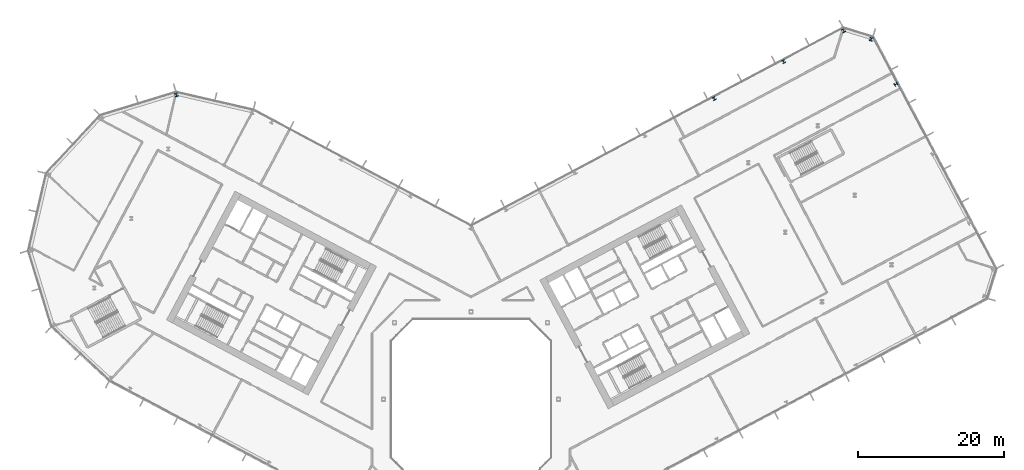
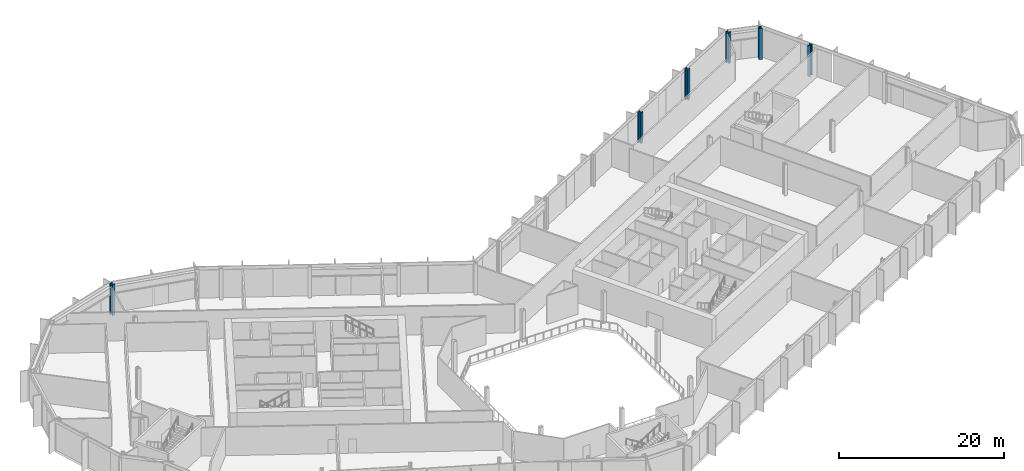
# One storey, part 5 of 32: 6 columns.
"""IFC4 building model written with IfcOpenShell, lengths in metres."""

import ifcopenshell
import ifcopenshell.guid

model = None  # the IFC model being written
_history = None  # IfcOwnerHistory: only IFC2X3 demands one
_inside = {}  # id of a spatial element -> (the spatial element, [elements in it])
_under = {}  # id of a project, library or spatial element -> (it, [spatial elements below it])
_declared = {}  # id of a project -> (the project, [libraries it declares])
_typed = {}  # id of a type object -> (the type object, [elements of that type])
_made_of = {}  # id of a material, layer set ... -> (it, [elements and type objects made of it])


def new_model(schema):
    """Start an empty IFC model of exactly this schema.

    Asked for "IFC4X3", IfcOpenShell would pick the latest addendum, in which some entities
    have other attributes; the version numbers below select the first issue.
    IFC2X3 requires an IfcOwnerHistory on every rooted entity: one is made here for all.
    """
    global model, _history
    if schema == "IFC4X3":
        model = ifcopenshell.file(schema_version=(4, 3, 0, 0))
    else:
        model = ifcopenshell.file(schema=schema)
    _inside.clear()
    _under.clear()
    _declared.clear()
    _typed.clear()
    _made_of.clear()
    _history = None
    if model.schema == "IFC2X3":
        org = make("IfcOrganization", Name="unknown")
        user = make(
            "IfcPersonAndOrganization",
            ThePerson=make("IfcPerson", FamilyName="unknown"),
            TheOrganization=org,
        )
        app = make(
            "IfcApplication",
            ApplicationDeveloper=org,
            Version="unknown",
            ApplicationFullName="unknown",
            ApplicationIdentifier="unknown",
        )
        _history = make(
            "IfcOwnerHistory",
            OwningUser=user,
            OwningApplication=app,
            ChangeAction="ADDED",
            CreationDate=0,
        )
    return model


def make(cls, **values):
    """One entity of the class cls with the attributes given. An attribute that is None is left unset."""
    return model.create_entity(
        cls, **{name: value for name, value in values.items() if value is not None}
    )


def rooted(cls, **values):
    """An entity with a GlobalId (a new one), such as an element, a storey or a relation."""
    return make(cls, GlobalId=ifcopenshell.guid.new(), OwnerHistory=_history, **values)


def si_unit(unit_type, name, prefix=None):
    """IfcSIUnit, for example si_unit("LENGTHUNIT", "METRE", prefix="MILLI")."""
    return make("IfcSIUnit", UnitType=unit_type, Prefix=prefix, Name=name)


def assignment(units):
    """IfcUnitAssignment: the units of a project."""
    return None if units is None else make("IfcUnitAssignment", Units=units)


def point(xyz):
    """IfcCartesianPoint."""
    return None if xyz is None else make("IfcCartesianPoint", Coordinates=xyz)


def direction(xyz):
    """IfcDirection."""
    return None if xyz is None else make("IfcDirection", DirectionRatios=xyz)


def frame(location, z_axis=None, x_axis=None):
    """IfcAxis2Placement3D, a coordinate frame: its origin and axes. An axis left out is left unset."""
    return make(
        "IfcAxis2Placement3D",
        Location=point(location),
        Axis=direction(z_axis),
        RefDirection=direction(x_axis),
    )


def frame_2d(location, x_axis=None):
    """IfcAxis2Placement2D, a coordinate frame in the plane: its origin and x axis."""
    return make(
        "IfcAxis2Placement2D", Location=point(location), RefDirection=direction(x_axis)
    )


def origin():
    """The frame at (0, 0, 0) with its axes left unset."""
    return frame((0.0, 0.0, 0.0))


def origin_2d():
    """The frame at (0, 0) in the plane with its x axis left unset."""
    return frame_2d((0.0, 0.0))


def place(relative_to, where):
    """IfcLocalPlacement: puts the frame where relative to a parent placement (None: the world)."""
    return make(
        "IfcLocalPlacement", PlacementRelTo=relative_to, RelativePlacement=where
    )


def context(
    kind, dimensions, precision=None, world=None, true_north=None, identifier=None
):
    """IfcGeometricRepresentationContext, for example the 3D "Model" context."""
    return make(
        "IfcGeometricRepresentationContext",
        ContextIdentifier=identifier,
        ContextType=kind,
        CoordinateSpaceDimension=dimensions,
        Precision=precision,
        WorldCoordinateSystem=world,
        TrueNorth=true_north,
    )


def subcontext(parent, identifier, kind, view, scale=None):
    """IfcGeometricRepresentationSubContext, for example "Body" below "Model"."""
    return make(
        "IfcGeometricRepresentationSubContext",
        ContextIdentifier=identifier,
        ContextType=kind,
        ParentContext=parent,
        TargetScale=scale,
        TargetView=view,
    )


def project(units=None, contexts=None):
    """IfcProject with its units and contexts."""
    return rooted(
        "IfcProject",
        Name="project",
        RepresentationContexts=contexts,
        UnitsInContext=assignment(units),
    )


def spatial(cls, under=None, at=None, **own):
    """A site, building, storey or space (cls), placed at a placement, below another one or the project."""
    s = rooted(cls, ObjectPlacement=at, **own)
    if under is not None:
        _under.setdefault(under.id(), (under, []))[1].append(s)
    return s


def profile(cls, at=None, kind="AREA", **sizes):
    """A parametric profile (cls). Its sizes go by their IFC names, for example OverallWidth=200.0."""
    return make(cls, ProfileType=kind, Position=at, **sizes)


def i_section(**sizes):
    """IfcIShapeProfileDef."""
    return profile("IfcIShapeProfileDef", **sizes)


def extrude(swept, where, along, depth):
    """IfcExtrudedAreaSolid: the profile swept, set in the frame where, extruded along a direction by depth."""
    return make(
        "IfcExtrudedAreaSolid",
        SweptArea=swept,
        Position=where,
        ExtrudedDirection=direction(along),
        Depth=depth,
    )


def shape(context_of_items, identifier, shape_type, items):
    """IfcShapeRepresentation: the items that make up one representation, for example the "Body"."""
    return make(
        "IfcShapeRepresentation",
        ContextOfItems=context_of_items,
        RepresentationIdentifier=identifier,
        RepresentationType=shape_type,
        Items=items,
    )


def material(Name=None, Category=None):
    """IfcMaterial."""
    return make("IfcMaterial", Name=Name, Category=Category)


def material_profile(
    of_material, cross_section, Name=None, Category=None, Priority=None
):
    """IfcMaterialProfile: a cross section and its material."""
    return make(
        "IfcMaterialProfile",
        Name=Name,
        Material=of_material,
        Profile=cross_section,
        Priority=Priority,
        Category=Category,
    )


def profile_set(profiles, Name=None, composite=None):
    """IfcMaterialProfileSet."""
    return make(
        "IfcMaterialProfileSet",
        Name=Name,
        MaterialProfiles=profiles,
        CompositeProfile=composite,
    )


def made_of(thing, what):
    """Note that an element or type object is made of a material, layer set ...; save() writes the relation."""
    if what is not None:
        _made_of.setdefault(what.id(), (what, []))[1].append(thing)
    return thing


def type_object(cls, material=None, **own):
    """A type object (cls), such as IfcWallType, which elements share."""
    return made_of(rooted(cls, **own), material)


def element(
    cls,
    number,
    at=None,
    inside=None,
    cuts=None,
    type_object=None,
    material=None,
    context=None,
    identifier="Body",
    shape_type=None,
    held_by="IfcProductDefinitionShape",
    body=None,
    shapes=None,
    **own,
):
    """One element of the class cls, such as IfcWall. Its Tag is "e" and its number.

    at: its placement. inside: the storey or other place that contains it. cuts: it is an
    opening in that element (IfcRelVoidsElement). A single representation is given by context,
    identifier, shape_type and body (its items); several are given by shapes. held_by: the class
    of the entity that holds the representations. save() writes the other relations.
    """
    e = rooted(cls, Tag="e%d" % number, ObjectPlacement=at, **own)
    if body is not None:
        shapes = [shape(context, identifier, shape_type, body)]
    if shapes is not None:
        e.Representation = make(held_by, Representations=shapes)
    if inside is not None:
        _inside.setdefault(inside.id(), (inside, []))[1].append(e)
    if cuts is not None:
        rooted(
            "IfcRelVoidsElement", RelatingBuildingElement=cuts, RelatedOpeningElement=e
        )
    if type_object is not None:
        _typed.setdefault(type_object.id(), (type_object, []))[1].append(e)
    return made_of(e, material)


def aggregate(whole, parts):
    """IfcRelAggregates: a whole, such as a stair, and the parts it consists of."""
    return rooted("IfcRelAggregates", RelatingObject=whole, RelatedObjects=parts)


def save(model, path):
    """Write the relations noted so far, then the file.

    IfcRelAggregates (storeys below a building ...), IfcRelContainedInSpatialStructure (elements
    in a storey), IfcRelDefinesByType, IfcRelAssociatesMaterial and IfcRelDeclares: one each for
    every whole, place, type object, material and project.
    """
    for whole, parts in _under.values():
        aggregate(whole, parts)
    for where, things in _inside.values():
        rooted(
            "IfcRelContainedInSpatialStructure",
            RelatedElements=things,
            RelatingStructure=where,
        )
    for kind, things in _typed.values():
        rooted("IfcRelDefinesByType", RelatedObjects=things, RelatingType=kind)
    for what, things in _made_of.values():
        rooted("IfcRelAssociatesMaterial", RelatedObjects=things, RelatingMaterial=what)
    for by, libraries in _declared.values():
        rooted("IfcRelDeclares", RelatingContext=by, RelatedDefinitions=libraries)
    model.write(path)


model = new_model("IFC4")

# Units and contexts
model_context = context("Model", 3, precision=1e-05, world=origin(), true_north=direction((0.0, 1.0)))
body_context = subcontext(model_context, "Body", "Model", "MODEL_VIEW")
ifc_project = project(units=[si_unit("LENGTHUNIT", "METRE"), si_unit("AREAUNIT", "SQUARE_METRE"), si_unit("VOLUMEUNIT", "CUBIC_METRE"), si_unit("PLANEANGLEUNIT", "RADIAN"), si_unit("MASSUNIT", "GRAM", prefix="KILO")], contexts=[model_context])

# Site, building, storey
site_placement = place(None, origin())
site = spatial("IfcSite", under=ifc_project, at=site_placement, CompositionType="ELEMENT")
building_placement = place(site_placement, origin())
building = spatial("IfcBuilding", under=site, at=building_placement, Name="Cormorant Relay Tower", CompositionType="ELEMENT")
storey_placement = place(building_placement, frame((0.0, 0.0, 75.39990234375)))
storey = spatial("IfcBuildingStorey", under=building, at=storey_placement, Name="L14", CompositionType="ELEMENT", Elevation=75.39990234375)

# Columns
ifc_material_1 = material(Name="Steel ASTM A992 (Fy 345 MPa)", Category="steel")
ifc_material_profile_1 = material_profile(ifc_material_1, i_section(OverallWidth=0.42431640625, OverallDepth=0.47509765625, WebThickness=0.0478515625, FlangeThickness=0.0771484375, FilletRadius=0.014892578125, at=origin_2d()), Name="W360x634")
ifc_profile_set_1 = profile_set([ifc_material_profile_1], Name="Steel ASTM A992 (Fy 345 MPa)")
column_type_1 = type_object("IfcColumnType", Name="Column W360x634", PredefinedType="COLUMN", material=ifc_profile_set_1)
for number, where, z_axis, x_axis, name in (
    (1, (33.342041015625, 41.239990234375, 0.0), (0.0, 0.0, 1.0), (-0.882947592859, -0.469471562786, 0.0), "Column L14-049"),
    (2, (58.2900390625, 43.22509765625, 0.0), (0.0, 0.0, 1.0), (-0.469471562786, 0.882947592859, 0.0), "Column L14-051"),
    (3, (42.876953125, 46.31005859375, 0.0), (0.0, 0.0, 1.0), (-0.882947592859, -0.469471562786, 0.0), "Column L14-052"),
):
    element("IfcColumn", number, at=place(storey_placement, frame(where, z_axis=z_axis, x_axis=x_axis)), inside=storey, type_object=column_type_1, Name=name, PredefinedType="COLUMN", context=body_context, shape_type="SweptSolid", body=[
        extrude(i_section(OverallWidth=0.42431640625, OverallDepth=0.47509765625, WebThickness=0.0478515625, FlangeThickness=0.0771484375, FilletRadius=0.014892578125, at=origin_2d()), origin(), (0.0, 0.0, 1.0), 4.60009765625),
    ])
ifc_material_2 = material(Name="Steel ASTM A992 (Fy 345 MPa)", Category="steel")
ifc_material_profile_2 = material_profile(ifc_material_2, i_section(OverallWidth=0.43701171875, OverallDepth=0.51318359375, WebThickness=0.060546875, FlangeThickness=0.096923828125, FilletRadius=0.015380859375, at=origin_2d()), Name="W360x818")
ifc_profile_set_2 = profile_set([ifc_material_profile_2], Name="Steel ASTM A992 (Fy 345 MPa)")
column_type_2 = type_object("IfcColumnType", Name="Column W360x818", PredefinedType="COLUMN", material=ifc_profile_set_2)
for number, where, z_axis, x_axis, name in (
    (4, (-40.452880859375, 41.763916015625, 0.0), (0.0, 0.0, 1.0), (-0.956304755963, -0.292371704723, 0.0), "Column L14-050"),
    (5, (54.885986328125, 49.409912109375, 0.0), (0.0, 0.0, 1.0), (-0.956304755963, 0.292371704723, 0.0), "Column L14-053"),
    (6, (51.10009765625, 50.56689453125, 0.0), (0.0, 0.0, 1.0), (-0.882947592859, -0.469471562786, 0.0), "Column L14-054"),
):
    element("IfcColumn", number, at=place(storey_placement, frame(where, z_axis=z_axis, x_axis=x_axis)), inside=storey, type_object=column_type_2, Name=name, PredefinedType="COLUMN", context=body_context, shape_type="SweptSolid", body=[
        extrude(i_section(OverallWidth=0.43701171875, OverallDepth=0.51318359375, WebThickness=0.060546875, FlangeThickness=0.096923828125, FilletRadius=0.015380859375, at=origin_2d()), origin(), (0.0, 0.0, 1.0), 4.60009765625),
    ])

save(model, "model.ifc")
